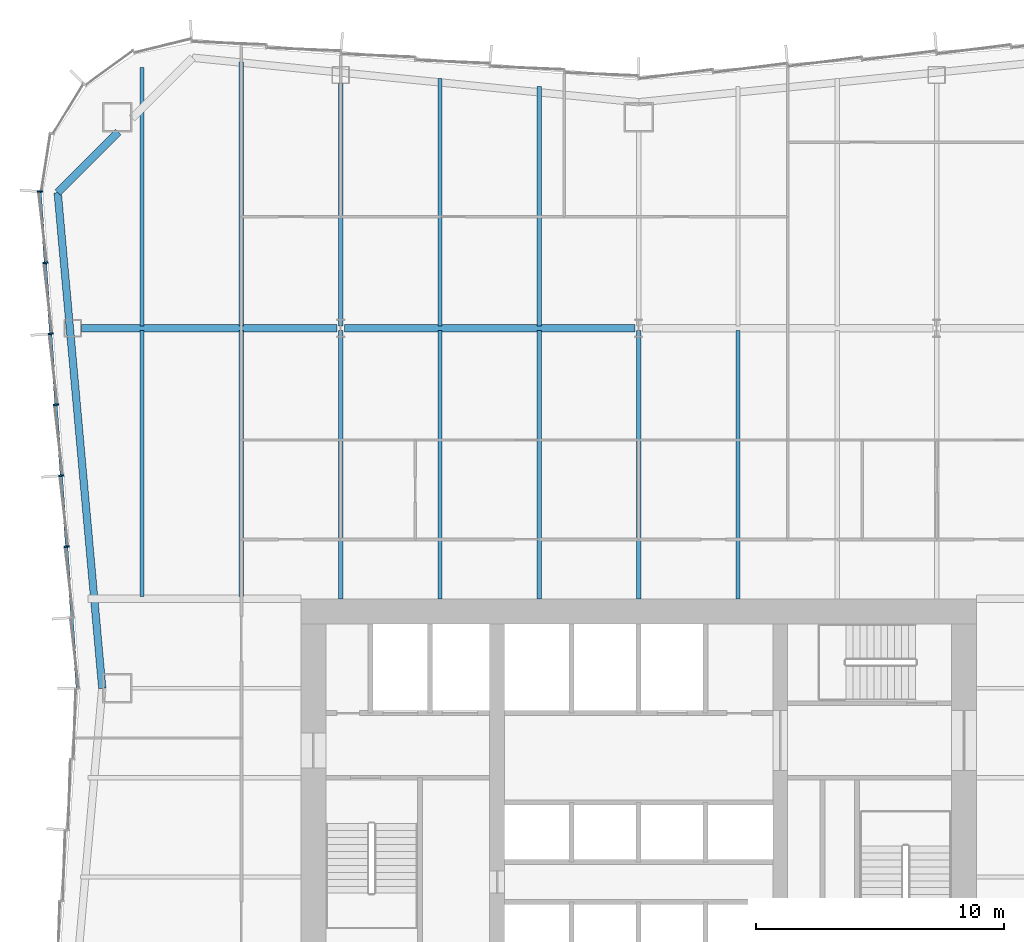
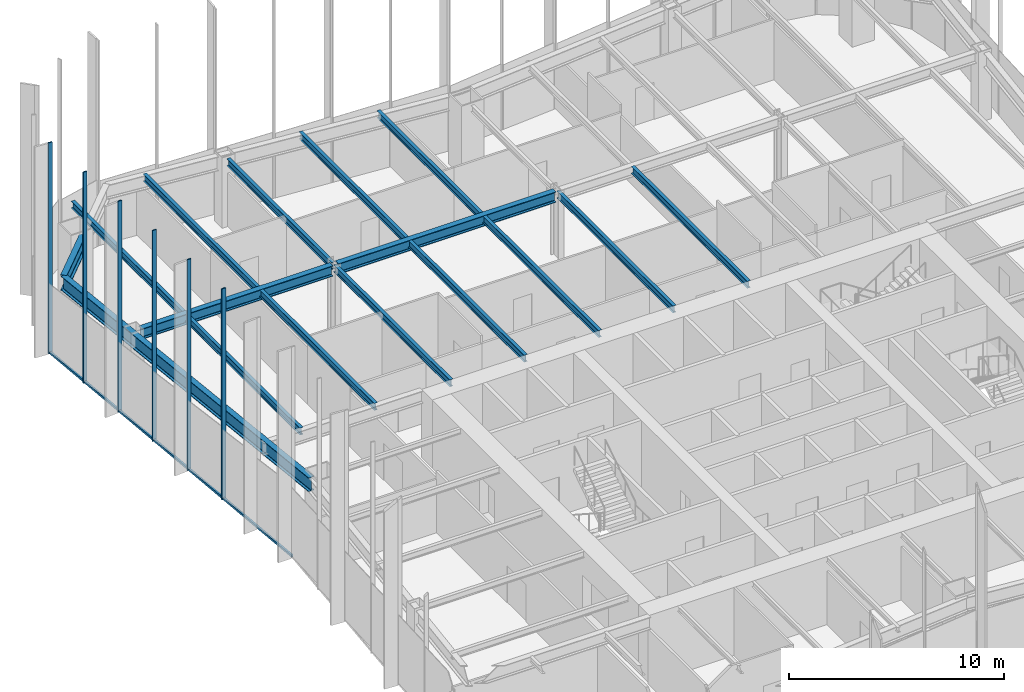
# One storey, part 5 of 13: 16 beams, 7 members, 1 element without a shape of its own.
"""IFC4 building model written with IfcOpenShell, lengths in metres."""

from ifc_helpers import new_model, si_unit, direction, frame, origin, origin_2d, place, context, subcontext, project, spatial, rectangle, i_section, extrude, material, material_profile, profile_set, type_object, element, aggregate, save


model = new_model("IFC4")

# Units and contexts
model_context = context("Model", 3, precision=1e-05, world=origin(), true_north=direction((0.0, 1.0)))
body_context = subcontext(model_context, "Body", "Model", "MODEL_VIEW")
ifc_project = project(units=[si_unit("LENGTHUNIT", "METRE"), si_unit("AREAUNIT", "SQUARE_METRE"), si_unit("VOLUMEUNIT", "CUBIC_METRE"), si_unit("PLANEANGLEUNIT", "RADIAN"), si_unit("MASSUNIT", "GRAM", prefix="KILO")], contexts=[model_context])

# Site, building, storey
site_placement = place(None, origin())
site = spatial("IfcSite", under=ifc_project, at=site_placement, CompositionType="ELEMENT")
building_placement = place(site_placement, origin())
building = spatial("IfcBuilding", under=site, at=building_placement, Name="Verdant Reach Tower", CompositionType="ELEMENT")
storey_placement = place(building_placement, frame((0.0, 0.0, 138.0)))
storey = spatial("IfcBuildingStorey", under=building, at=storey_placement, Name="L31", CompositionType="ELEMENT", Elevation=138.0)

# Curtain wall, members
ifc_material_1 = material(Name="Anodised aluminium", Category="aluminium")
curtain_wall_type = type_object("IfcCurtainWallType", Name="EN-CW SYSTEM Z2", PredefinedType="NOTDEFINED", material=ifc_material_1)
curtain_wall_placement = place(storey_placement, origin())
curtain_wall = element("IfcCurtainWall", 1, at=curtain_wall_placement, inside=storey, type_object=curtain_wall_type, Name="Curtain wall west, L31", PredefinedType="NOTDEFINED")
ifc_material_profile_1 = material_profile(ifc_material_1, rectangle(XDim=0.2119140625, YDim=0.06396484375, at=origin_2d()), Name="Mullion 64x212")
ifc_profile_set_1 = profile_set([ifc_material_profile_1], Name="Anodised aluminium")
member_type_1 = type_object("IfcMemberType", Name="EN-MULLION Z2", PredefinedType="MULLION", material=ifc_profile_set_1)
member_1_placement = place(storey_placement, frame((-24.105712890625, 55.00634765625, -0.35009765625), z_axis=(0.0, 0.0, 1.0), x_axis=(-0.998155887542, 0.060702752526, 0.0)))
member_1 = element("IfcMember", 2, at=member_1_placement, type_object=member_type_1, Name="Mullion west face part 1 1, L31", PredefinedType="MULLION", context=body_context, shape_type="SweptSolid", body=[
    extrude(rectangle(XDim=0.2119140625, YDim=0.06396484375, at=origin_2d()), origin(), (0.0, 0.0, 1.0), 12.0),
])
member_2_placement = place(storey_placement, frame((-23.891357421875, 52.135009765625, -0.35009765625), z_axis=(0.0, 0.0, 1.0), x_axis=(-0.997199309888, -0.074789948245, 0.0)))
member_2 = element("IfcMember", 3, at=member_2_placement, type_object=member_type_1, Name="Mullion west face part 1 2, L31", PredefinedType="MULLION", context=body_context, shape_type="SweptSolid", body=[
    extrude(rectangle(XDim=0.2119140625, YDim=0.06396484375, at=origin_2d()), origin(), (0.0, 0.0, 1.0), 12.0),
])
member_3_placement = place(storey_placement, frame((-23.67724609375, 49.27783203125, -0.35009765625), z_axis=(0.0, 0.0, 1.0), x_axis=(-0.997199309888, -0.074789948245, 0.0)))
member_3 = element("IfcMember", 4, at=member_3_placement, type_object=member_type_1, Name="Mullion west face part 1 3, L31", PredefinedType="MULLION", context=body_context, shape_type="SweptSolid", body=[
    extrude(rectangle(XDim=0.2119140625, YDim=0.06396484375, at=origin_2d()), origin(), (0.0, 0.0, 1.0), 12.0),
])
member_4_placement = place(storey_placement, frame((-23.462890625, 46.420654296875, -0.35009765625), z_axis=(0.0, 0.0, 1.0), x_axis=(-0.997199309888, -0.074789948245, 0.0)))
member_4 = element("IfcMember", 5, at=member_4_placement, type_object=member_type_1, Name="Mullion west face part 1 4, L31", PredefinedType="MULLION", context=body_context, shape_type="SweptSolid", body=[
    extrude(rectangle(XDim=0.2119140625, YDim=0.06396484375, at=origin_2d()), origin(), (0.0, 0.0, 1.0), 12.0),
])
member_5_placement = place(storey_placement, frame((-23.24853515625, 43.5634765625, -0.35009765625), z_axis=(0.0, 0.0, 1.0), x_axis=(-0.997199309888, -0.074789948245, 0.0)))
member_5 = element("IfcMember", 6, at=member_5_placement, type_object=member_type_1, Name="Mullion west face part 1 5, L31", PredefinedType="MULLION", context=body_context, shape_type="SweptSolid", body=[
    extrude(rectangle(XDim=0.2119140625, YDim=0.06396484375, at=origin_2d()), origin(), (0.0, 0.0, 1.0), 12.0),
])
member_6_placement = place(storey_placement, frame((-23.0341796875, 40.706298828125, -0.35009765625), z_axis=(0.0, 0.0, 1.0), x_axis=(-0.997199309888, -0.074789948245, 0.0)))
member_6 = element("IfcMember", 7, at=member_6_placement, type_object=member_type_1, Name="Mullion west face part 1 6, L31", PredefinedType="MULLION", context=body_context, shape_type="SweptSolid", body=[
    extrude(rectangle(XDim=0.2119140625, YDim=0.06396484375, at=origin_2d()), origin(), (0.0, 0.0, 1.0), 12.0),
])
ifc_material_profile_2 = material_profile(ifc_material_1, rectangle(XDim=0.10009765625, YDim=0.1240234375, at=origin_2d()), Name="Transom 124x100")
ifc_profile_set_2 = profile_set([ifc_material_profile_2], Name="Anodised aluminium")
member_type_2 = type_object("IfcMemberType", Name="EN-TRANSOM Z2", PredefinedType="USERDEFINED", material=ifc_profile_set_2)
member_7_placement = place(storey_placement, frame((-24.103515625, 54.974609375, -0.2880859375), z_axis=(0.07476111665, -0.997201471839, 0.0), x_axis=(0.997201471839, 0.07476111665, 0.0)))
member_7 = element("IfcMember", 8, at=member_7_placement, type_object=member_type_2, Name="Transom west face part 1 1.1, L31", ObjectType="TRANSOM", PredefinedType="USERDEFINED", context=body_context, shape_type="SweptSolid", body=[
    extrude(rectangle(XDim=0.10009765625, YDim=0.1240234375, at=origin_2d()), origin(), (0.0, 0.0, 1.0), 19.99853515625),
])
aggregate(curtain_wall, [member_1, member_2, member_3, member_4, member_5, member_6, member_7])

# Beams
ifc_material_2 = material(Name="Steel S355", Category="steel")
ifc_material_profile_3 = material_profile(ifc_material_2, i_section(OverallWidth=0.300048828125, OverallDepth=0.60009765625, WebThickness=0.015380859375, FlangeThickness=0.030029296875, FilletRadius=0.027099609375, at=origin_2d()), Name="HEB 600")
ifc_profile_set_3 = profile_set([ifc_material_profile_3], Name="Steel S355")
beam_type_1 = type_object("IfcBeamType", Name="ST-BEAM-HEB600", PredefinedType="BEAM", material=ifc_profile_set_3)
beam_1_placement = place(storey_placement, frame((-22.4375, 49.5, 3.570068359375), z_axis=(1.0, 0.0, 0.0), x_axis=(0.0, 1.0, 0.0)))
element("IfcBeam", 9, at=beam_1_placement, inside=storey, type_object=beam_type_1, Name="Row girder, L31", PredefinedType="BEAM", context=body_context, shape_type="SweptSolid", body=[
    extrude(i_section(OverallWidth=0.300048828125, OverallDepth=0.60009765625, WebThickness=0.015380859375, FlangeThickness=0.030029296875, FilletRadius=0.027099609375, at=origin_2d()), origin(), (0.0, 0.0, 1.0), 10.283447265625),
])
beam_2_placement = place(storey_placement, frame((-11.845947265625, 49.5, 3.570068359375), z_axis=(1.0, 0.0, 0.0), x_axis=(0.0, 1.0, 0.0)))
element("IfcBeam", 10, at=beam_2_placement, inside=storey, type_object=beam_type_1, Name="Row girder, L31", PredefinedType="BEAM", context=body_context, shape_type="SweptSolid", body=[
    extrude(i_section(OverallWidth=0.300048828125, OverallDepth=0.60009765625, WebThickness=0.015380859375, FlangeThickness=0.030029296875, FilletRadius=0.027099609375, at=origin_2d()), origin(), (0.0, 0.0, 1.0), 11.69189453125),
])
ifc_material_profile_4 = material_profile(ifc_material_2, i_section(OverallWidth=0.179931640625, OverallDepth=0.39990234375, WebThickness=0.008544921875, FlangeThickness=0.013427734375, FilletRadius=0.02099609375, at=origin_2d()), Name="IPE 400")
ifc_profile_set_4 = profile_set([ifc_material_profile_4], Name="Steel S355")
beam_type_2 = type_object("IfcBeamType", Name="ST-JOIST-IPE400", PredefinedType="JOIST", material=ifc_profile_set_4)
beam_3_placement = place(storey_placement, frame((-20.0, 38.699951171875, 3.669921875), z_axis=(0.0, 1.0, 0.0), x_axis=(-1.0, 0.0, 0.0)))
element("IfcBeam", 11, at=beam_3_placement, inside=storey, type_object=beam_type_2, Name="Floor joist, L31", PredefinedType="JOIST", context=body_context, shape_type="SweptSolid", body=[
    extrude(i_section(OverallWidth=0.179931640625, OverallDepth=0.39990234375, WebThickness=0.008544921875, FlangeThickness=0.013427734375, FilletRadius=0.02099609375, at=origin_2d()), origin(), (0.0, 0.0, 1.0), 10.699951171875),
])
beam_4_placement = place(storey_placement, frame((-20.0, 49.60009765625, 3.669921875), z_axis=(0.0, 1.0, 0.0), x_axis=(-1.0, 0.0, 0.0)))
element("IfcBeam", 12, at=beam_4_placement, inside=storey, type_object=beam_type_2, Name="Floor joist, L31", PredefinedType="JOIST", context=body_context, shape_type="SweptSolid", body=[
    extrude(i_section(OverallWidth=0.179931640625, OverallDepth=0.39990234375, WebThickness=0.008544921875, FlangeThickness=0.013427734375, FilletRadius=0.02099609375, at=origin_2d()), origin(), (0.0, 0.0, 1.0), 10.390380859375),
])
beam_5_placement = place(storey_placement, frame((-16.0, 38.699951171875, 3.669921875), z_axis=(0.0, 1.0, 0.0), x_axis=(-1.0, 0.0, 0.0)))
element("IfcBeam", 13, at=beam_5_placement, inside=storey, type_object=beam_type_2, Name="Floor joist, L31", PredefinedType="JOIST", context=body_context, shape_type="SweptSolid", body=[
    extrude(i_section(OverallWidth=0.179931640625, OverallDepth=0.39990234375, WebThickness=0.008544921875, FlangeThickness=0.013427734375, FilletRadius=0.02099609375, at=origin_2d()), origin(), (0.0, 0.0, 1.0), 10.699951171875),
])
beam_6_placement = place(storey_placement, frame((-16.0, 49.60009765625, 3.669921875), z_axis=(0.0, 1.0, 0.0), x_axis=(-1.0, 0.0, 0.0)))
element("IfcBeam", 14, at=beam_6_placement, inside=storey, type_object=beam_type_2, Name="Floor joist, L31", PredefinedType="JOIST", context=body_context, shape_type="SweptSolid", body=[
    extrude(i_section(OverallWidth=0.179931640625, OverallDepth=0.39990234375, WebThickness=0.008544921875, FlangeThickness=0.013427734375, FilletRadius=0.02099609375, at=origin_2d()), origin(), (0.0, 0.0, 1.0), 10.631103515625),
])
beam_7_placement = place(storey_placement, frame((-12.0, 38.60009765625, 3.669921875), z_axis=(0.0, 1.0, 0.0), x_axis=(-1.0, 0.0, 0.0)))
element("IfcBeam", 15, at=beam_7_placement, inside=storey, type_object=beam_type_2, Name="Floor joist, L31", PredefinedType="JOIST", context=body_context, shape_type="SweptSolid", body=[
    extrude(i_section(OverallWidth=0.179931640625, OverallDepth=0.39990234375, WebThickness=0.008544921875, FlangeThickness=0.013427734375, FilletRadius=0.02099609375, at=origin_2d()), origin(), (0.0, 0.0, 1.0), 10.7998046875),
])
beam_8_placement = place(storey_placement, frame((-12.0, 49.60009765625, 3.669921875), z_axis=(0.0, 1.0, 0.0), x_axis=(-1.0, 0.0, 0.0)))
element("IfcBeam", 16, at=beam_8_placement, inside=storey, type_object=beam_type_2, Name="Floor joist, L31", PredefinedType="JOIST", context=body_context, shape_type="SweptSolid", body=[
    extrude(i_section(OverallWidth=0.179931640625, OverallDepth=0.39990234375, WebThickness=0.008544921875, FlangeThickness=0.013427734375, FilletRadius=0.02099609375, at=origin_2d()), origin(), (0.0, 0.0, 1.0), 9.75),
])
beam_9_placement = place(storey_placement, frame((-8.0, 38.60009765625, 3.669921875), z_axis=(0.0, 1.0, 0.0), x_axis=(-1.0, 0.0, 0.0)))
element("IfcBeam", 17, at=beam_9_placement, inside=storey, type_object=beam_type_2, Name="Floor joist, L31", PredefinedType="JOIST", context=body_context, shape_type="SweptSolid", body=[
    extrude(i_section(OverallWidth=0.179931640625, OverallDepth=0.39990234375, WebThickness=0.008544921875, FlangeThickness=0.013427734375, FilletRadius=0.02099609375, at=origin_2d()), origin(), (0.0, 0.0, 1.0), 10.7998046875),
])
beam_10_placement = place(storey_placement, frame((-8.0, 49.60009765625, 3.669921875), z_axis=(0.0, 1.0, 0.0), x_axis=(-1.0, 0.0, 0.0)))
element("IfcBeam", 18, at=beam_10_placement, inside=storey, type_object=beam_type_2, Name="Floor joist, L31", PredefinedType="JOIST", context=body_context, shape_type="SweptSolid", body=[
    extrude(i_section(OverallWidth=0.179931640625, OverallDepth=0.39990234375, WebThickness=0.008544921875, FlangeThickness=0.013427734375, FilletRadius=0.02099609375, at=origin_2d()), origin(), (0.0, 0.0, 1.0), 9.964599609375),
])
beam_11_placement = place(storey_placement, frame((-4.0, 38.60009765625, 3.669921875), z_axis=(0.0, 1.0, 0.0), x_axis=(-1.0, 0.0, 0.0)))
element("IfcBeam", 19, at=beam_11_placement, inside=storey, type_object=beam_type_2, Name="Floor joist, L31", PredefinedType="JOIST", context=body_context, shape_type="SweptSolid", body=[
    extrude(i_section(OverallWidth=0.179931640625, OverallDepth=0.39990234375, WebThickness=0.008544921875, FlangeThickness=0.013427734375, FilletRadius=0.02099609375, at=origin_2d()), origin(), (0.0, 0.0, 1.0), 10.7998046875),
])
beam_12_placement = place(storey_placement, frame((-4.0, 49.60009765625, 3.669921875), z_axis=(0.0, 1.0, 0.0), x_axis=(-1.0, 0.0, 0.0)))
element("IfcBeam", 20, at=beam_12_placement, inside=storey, type_object=beam_type_2, Name="Floor joist, L31", PredefinedType="JOIST", context=body_context, shape_type="SweptSolid", body=[
    extrude(i_section(OverallWidth=0.179931640625, OverallDepth=0.39990234375, WebThickness=0.008544921875, FlangeThickness=0.013427734375, FilletRadius=0.02099609375, at=origin_2d()), origin(), (0.0, 0.0, 1.0), 9.631103515625),
])
for number, where, z_axis, x_axis, name in (
    (21, (0.0, 38.60009765625, 3.669921875), (0.0, 1.0, 0.0), (-1.0, 0.0, 0.0), "Floor joist, L31"),
    (22, (4.0, 38.60009765625, 3.669921875), (0.0, 1.0, 0.0), (-1.0, 0.0, 0.0), "Floor joist, L31"),
):
    element("IfcBeam", number, at=place(storey_placement, frame(where, z_axis=z_axis, x_axis=x_axis)), inside=storey, type_object=beam_type_2, Name=name, PredefinedType="JOIST", context=body_context, shape_type="SweptSolid", body=[
        extrude(i_section(OverallWidth=0.179931640625, OverallDepth=0.39990234375, WebThickness=0.008544921875, FlangeThickness=0.013427734375, FilletRadius=0.02099609375, at=origin_2d()), origin(), (0.0, 0.0, 1.0), 10.7998046875),
    ])
ifc_material_profile_5 = material_profile(ifc_material_2, i_section(OverallWidth=0.300048828125, OverallDepth=0.800048828125, WebThickness=0.017578125, FlangeThickness=0.032958984375, FilletRadius=0.030029296875, at=origin_2d()), Name="HEB 800")
ifc_profile_set_5 = profile_set([ifc_material_profile_5], Name="Steel S355")
beam_type_3 = type_object("IfcBeamType", Name="ST-SPANDREL-HEB800", PredefinedType="SPANDREL", material=ifc_profile_set_5)
beam_13_placement = place(storey_placement, frame((-21.60009765625, 35.0, 3.469970703125), z_axis=(-0.089574749266, 0.995980102358, 0.0), x_axis=(-0.995980102358, -0.089574749266, 0.0)))
element("IfcBeam", 23, at=beam_13_placement, inside=storey, type_object=beam_type_3, Name="Edge beam, L31", PredefinedType="SPANDREL", context=body_context, shape_type="SweptSolid", body=[
    extrude(i_section(OverallWidth=0.300048828125, OverallDepth=0.800048828125, WebThickness=0.017578125, FlangeThickness=0.032958984375, FilletRadius=0.030029296875, at=origin_2d()), origin(), (0.0, 0.0, 1.0), 20.043701171875),
])
ifc_material_profile_6 = material_profile(ifc_material_2, i_section(OverallWidth=0.302001953125, OverallDepth=0.909912109375, WebThickness=0.02099609375, FlangeThickness=0.0400390625, FilletRadius=0.030029296875, at=origin_2d()), Name="HEM 900")
ifc_profile_set_6 = profile_set([ifc_material_profile_6], Name="Steel S355")
beam_type_4 = type_object("IfcBeamType", Name="ST-SPANDREL-HEM900", PredefinedType="SPANDREL", material=ifc_profile_set_6)
beam_14_placement = place(storey_placement, frame((-23.3955078125, 54.963134765625, 3.4150390625), z_axis=(0.706965048022, 0.707248485948, 0.0), x_axis=(-0.707248485948, 0.706965048022, 0.0)))
element("IfcBeam", 24, at=beam_14_placement, inside=storey, type_object=beam_type_4, Name="Edge beam, L31", PredefinedType="SPANDREL", context=body_context, shape_type="SweptSolid", body=[
    extrude(i_section(OverallWidth=0.302001953125, OverallDepth=0.909912109375, WebThickness=0.02099609375, FlangeThickness=0.0400390625, FilletRadius=0.030029296875, at=origin_2d()), origin(), (0.0, 0.0, 1.0), 3.4453125),
])

save(model, "model.ifc")
